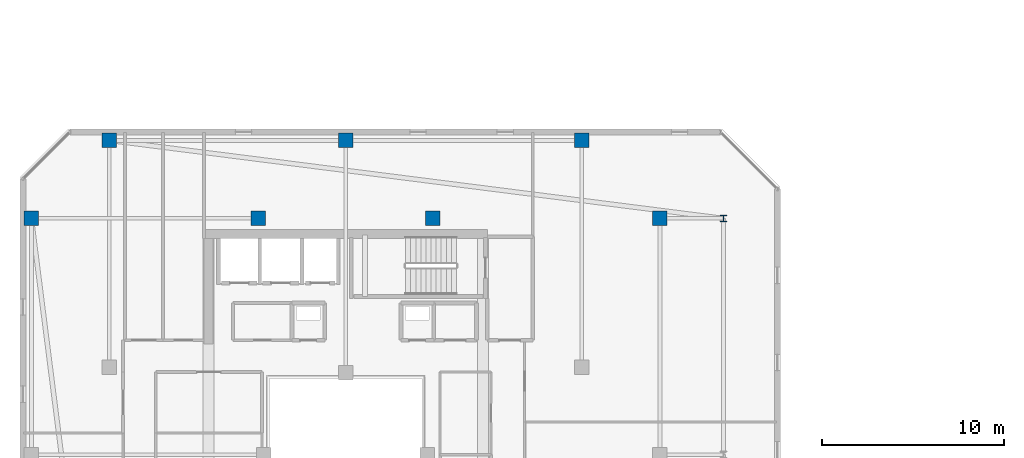
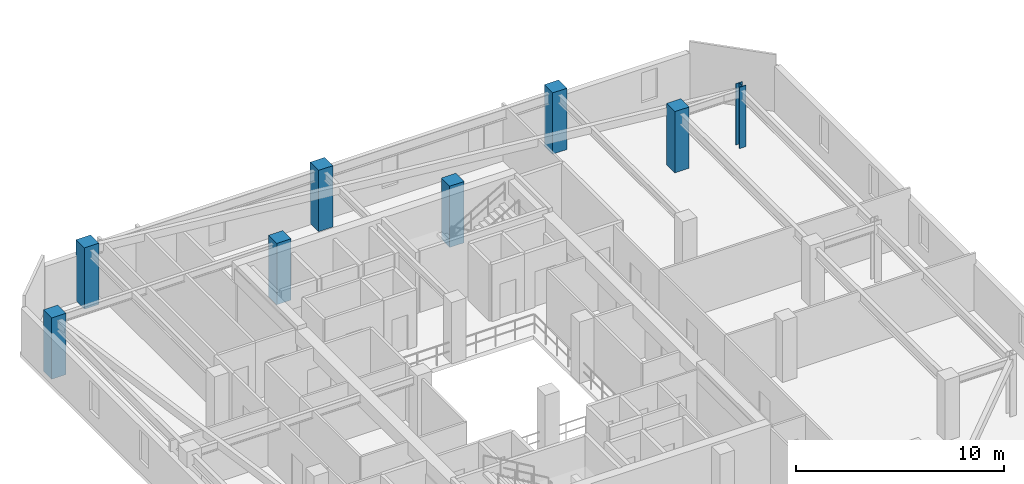
# One storey, part 3 of 35: 8 columns.
"""IFC4 building model written with IfcOpenShell, lengths in metres."""

import ifcopenshell
import ifcopenshell.guid

model = None  # the IFC model being written
_history = None  # IfcOwnerHistory: only IFC2X3 demands one
_inside = {}  # id of a spatial element -> (the spatial element, [elements in it])
_under = {}  # id of a project, library or spatial element -> (it, [spatial elements below it])
_declared = {}  # id of a project -> (the project, [libraries it declares])
_typed = {}  # id of a type object -> (the type object, [elements of that type])
_made_of = {}  # id of a material, layer set ... -> (it, [elements and type objects made of it])


def new_model(schema):
    """Start an empty IFC model of exactly this schema.

    Asked for "IFC4X3", IfcOpenShell would pick the latest addendum, in which some entities
    have other attributes; the version numbers below select the first issue.
    IFC2X3 requires an IfcOwnerHistory on every rooted entity: one is made here for all.
    """
    global model, _history
    if schema == "IFC4X3":
        model = ifcopenshell.file(schema_version=(4, 3, 0, 0))
    else:
        model = ifcopenshell.file(schema=schema)
    _inside.clear()
    _under.clear()
    _declared.clear()
    _typed.clear()
    _made_of.clear()
    _history = None
    if model.schema == "IFC2X3":
        org = make("IfcOrganization", Name="unknown")
        user = make(
            "IfcPersonAndOrganization",
            ThePerson=make("IfcPerson", FamilyName="unknown"),
            TheOrganization=org,
        )
        app = make(
            "IfcApplication",
            ApplicationDeveloper=org,
            Version="unknown",
            ApplicationFullName="unknown",
            ApplicationIdentifier="unknown",
        )
        _history = make(
            "IfcOwnerHistory",
            OwningUser=user,
            OwningApplication=app,
            ChangeAction="ADDED",
            CreationDate=0,
        )
    return model


def make(cls, **values):
    """One entity of the class cls with the attributes given. An attribute that is None is left unset."""
    return model.create_entity(
        cls, **{name: value for name, value in values.items() if value is not None}
    )


def rooted(cls, **values):
    """An entity with a GlobalId (a new one), such as an element, a storey or a relation."""
    return make(cls, GlobalId=ifcopenshell.guid.new(), OwnerHistory=_history, **values)


def si_unit(unit_type, name, prefix=None):
    """IfcSIUnit, for example si_unit("LENGTHUNIT", "METRE", prefix="MILLI")."""
    return make("IfcSIUnit", UnitType=unit_type, Prefix=prefix, Name=name)


def assignment(units):
    """IfcUnitAssignment: the units of a project."""
    return None if units is None else make("IfcUnitAssignment", Units=units)


def point(xyz):
    """IfcCartesianPoint."""
    return None if xyz is None else make("IfcCartesianPoint", Coordinates=xyz)


def direction(xyz):
    """IfcDirection."""
    return None if xyz is None else make("IfcDirection", DirectionRatios=xyz)


def frame(location, z_axis=None, x_axis=None):
    """IfcAxis2Placement3D, a coordinate frame: its origin and axes. An axis left out is left unset."""
    return make(
        "IfcAxis2Placement3D",
        Location=point(location),
        Axis=direction(z_axis),
        RefDirection=direction(x_axis),
    )


def frame_2d(location, x_axis=None):
    """IfcAxis2Placement2D, a coordinate frame in the plane: its origin and x axis."""
    return make(
        "IfcAxis2Placement2D", Location=point(location), RefDirection=direction(x_axis)
    )


def origin():
    """The frame at (0, 0, 0) with its axes left unset."""
    return frame((0.0, 0.0, 0.0))


def origin_2d():
    """The frame at (0, 0) in the plane with its x axis left unset."""
    return frame_2d((0.0, 0.0))


def place(relative_to, where):
    """IfcLocalPlacement: puts the frame where relative to a parent placement (None: the world)."""
    return make(
        "IfcLocalPlacement", PlacementRelTo=relative_to, RelativePlacement=where
    )


def context(
    kind, dimensions, precision=None, world=None, true_north=None, identifier=None
):
    """IfcGeometricRepresentationContext, for example the 3D "Model" context."""
    return make(
        "IfcGeometricRepresentationContext",
        ContextIdentifier=identifier,
        ContextType=kind,
        CoordinateSpaceDimension=dimensions,
        Precision=precision,
        WorldCoordinateSystem=world,
        TrueNorth=true_north,
    )


def subcontext(parent, identifier, kind, view, scale=None):
    """IfcGeometricRepresentationSubContext, for example "Body" below "Model"."""
    return make(
        "IfcGeometricRepresentationSubContext",
        ContextIdentifier=identifier,
        ContextType=kind,
        ParentContext=parent,
        TargetScale=scale,
        TargetView=view,
    )


def project(units=None, contexts=None):
    """IfcProject with its units and contexts."""
    return rooted(
        "IfcProject",
        Name="project",
        RepresentationContexts=contexts,
        UnitsInContext=assignment(units),
    )


def spatial(cls, under=None, at=None, **own):
    """A site, building, storey or space (cls), placed at a placement, below another one or the project."""
    s = rooted(cls, ObjectPlacement=at, **own)
    if under is not None:
        _under.setdefault(under.id(), (under, []))[1].append(s)
    return s


def profile(cls, at=None, kind="AREA", **sizes):
    """A parametric profile (cls). Its sizes go by their IFC names, for example OverallWidth=200.0."""
    return make(cls, ProfileType=kind, Position=at, **sizes)


def rectangle(**sizes):
    """IfcRectangleProfileDef."""
    return profile("IfcRectangleProfileDef", **sizes)


def i_section(**sizes):
    """IfcIShapeProfileDef."""
    return profile("IfcIShapeProfileDef", **sizes)


def extrude(swept, where, along, depth):
    """IfcExtrudedAreaSolid: the profile swept, set in the frame where, extruded along a direction by depth."""
    return make(
        "IfcExtrudedAreaSolid",
        SweptArea=swept,
        Position=where,
        ExtrudedDirection=direction(along),
        Depth=depth,
    )


def shape(context_of_items, identifier, shape_type, items):
    """IfcShapeRepresentation: the items that make up one representation, for example the "Body"."""
    return make(
        "IfcShapeRepresentation",
        ContextOfItems=context_of_items,
        RepresentationIdentifier=identifier,
        RepresentationType=shape_type,
        Items=items,
    )


def material(Name=None, Category=None):
    """IfcMaterial."""
    return make("IfcMaterial", Name=Name, Category=Category)


def material_profile(
    of_material, cross_section, Name=None, Category=None, Priority=None
):
    """IfcMaterialProfile: a cross section and its material."""
    return make(
        "IfcMaterialProfile",
        Name=Name,
        Material=of_material,
        Profile=cross_section,
        Priority=Priority,
        Category=Category,
    )


def profile_set(profiles, Name=None, composite=None):
    """IfcMaterialProfileSet."""
    return make(
        "IfcMaterialProfileSet",
        Name=Name,
        MaterialProfiles=profiles,
        CompositeProfile=composite,
    )


def made_of(thing, what):
    """Note that an element or type object is made of a material, layer set ...; save() writes the relation."""
    if what is not None:
        _made_of.setdefault(what.id(), (what, []))[1].append(thing)
    return thing


def type_object(cls, material=None, **own):
    """A type object (cls), such as IfcWallType, which elements share."""
    return made_of(rooted(cls, **own), material)


def element(
    cls,
    number,
    at=None,
    inside=None,
    cuts=None,
    type_object=None,
    material=None,
    context=None,
    identifier="Body",
    shape_type=None,
    held_by="IfcProductDefinitionShape",
    body=None,
    shapes=None,
    **own,
):
    """One element of the class cls, such as IfcWall. Its Tag is "e" and its number.

    at: its placement. inside: the storey or other place that contains it. cuts: it is an
    opening in that element (IfcRelVoidsElement). A single representation is given by context,
    identifier, shape_type and body (its items); several are given by shapes. held_by: the class
    of the entity that holds the representations. save() writes the other relations.
    """
    e = rooted(cls, Tag="e%d" % number, ObjectPlacement=at, **own)
    if body is not None:
        shapes = [shape(context, identifier, shape_type, body)]
    if shapes is not None:
        e.Representation = make(held_by, Representations=shapes)
    if inside is not None:
        _inside.setdefault(inside.id(), (inside, []))[1].append(e)
    if cuts is not None:
        rooted(
            "IfcRelVoidsElement", RelatingBuildingElement=cuts, RelatedOpeningElement=e
        )
    if type_object is not None:
        _typed.setdefault(type_object.id(), (type_object, []))[1].append(e)
    return made_of(e, material)


def aggregate(whole, parts):
    """IfcRelAggregates: a whole, such as a stair, and the parts it consists of."""
    return rooted("IfcRelAggregates", RelatingObject=whole, RelatedObjects=parts)


def save(model, path):
    """Write the relations noted so far, then the file.

    IfcRelAggregates (storeys below a building ...), IfcRelContainedInSpatialStructure (elements
    in a storey), IfcRelDefinesByType, IfcRelAssociatesMaterial and IfcRelDeclares: one each for
    every whole, place, type object, material and project.
    """
    for whole, parts in _under.values():
        aggregate(whole, parts)
    for where, things in _inside.values():
        rooted(
            "IfcRelContainedInSpatialStructure",
            RelatedElements=things,
            RelatingStructure=where,
        )
    for kind, things in _typed.values():
        rooted("IfcRelDefinesByType", RelatedObjects=things, RelatingType=kind)
    for what, things in _made_of.values():
        rooted("IfcRelAssociatesMaterial", RelatedObjects=things, RelatingMaterial=what)
    for by, libraries in _declared.values():
        rooted("IfcRelDeclares", RelatingContext=by, RelatedDefinitions=libraries)
    model.write(path)


model = new_model("IFC4")

# Units and contexts
model_context = context("Model", 3, precision=1e-05, world=origin(), true_north=direction((0.0, 1.0)))
body_context = subcontext(model_context, "Body", "Model", "MODEL_VIEW")
ifc_project = project(units=[si_unit("LENGTHUNIT", "METRE"), si_unit("AREAUNIT", "SQUARE_METRE"), si_unit("VOLUMEUNIT", "CUBIC_METRE"), si_unit("PLANEANGLEUNIT", "RADIAN"), si_unit("MASSUNIT", "GRAM", prefix="KILO")], contexts=[model_context])

# Site, building, storey
site_placement = place(None, origin())
site = spatial("IfcSite", under=ifc_project, at=site_placement, CompositionType="ELEMENT")
building_placement = place(site_placement, origin())
building = spatial("IfcBuilding", under=site, at=building_placement, Name="Thornwick Lancets Civic Towers", CompositionType="ELEMENT")
storey_placement = place(building_placement, frame((0.0, 0.0, 269.10009765625)))
storey = spatial("IfcBuildingStorey", under=building, at=storey_placement, Name="L72", CompositionType="ELEMENT", Elevation=269.10009765625)

# Columns
ifc_material_1 = material(Name="Concrete C50/60", Category="concrete")
ifc_material_profile_1 = material_profile(ifc_material_1, rectangle(XDim=0.800048828125, YDim=0.800048828125, at=origin_2d()), Name="RC 800x800")
ifc_profile_set_1 = profile_set([ifc_material_profile_1], Name="Concrete C50/60")
column_type_1 = type_object("IfcColumnType", Name="COL_RC_800", PredefinedType="COLUMN", material=ifc_profile_set_1)
for number, where, z_axis, x_axis, name in (
    (1, (42.800048828125, 40.0, 0.0), (0.0, 0.0, 1.0), (1.0, 0.0, 0.0), "L72 Spine Mega-Column A06"),
    (2, (12.5, 44.300048828125, 0.0), (0.0, 0.0, 1.0), (1.0, 0.0, 0.0), "L72 Spine Mega-Column A07"),
    (3, (25.5, 44.300048828125, 0.0), (0.0, 0.0, 1.0), (1.0, 0.0, 0.0), "L72 Spine Mega-Column A08"),
    (4, (38.5, 44.300048828125, 0.0), (0.0, 0.0, 1.0), (1.0, 0.0, 0.0), "L72 Spine Mega-Column A09"),
    (5, (8.199951171875, 40.0, 0.0), (0.0, 0.0, 1.0), (1.0, 0.0, 0.0), "L72 Spine Mega-Column A12"),
    (6, (20.699951171875, 40.0, 0.0), (0.0, 0.0, 1.0), (1.0, 0.0, 0.0), "L72 Spine Mega-Column A19"),
    (7, (30.300048828125, 40.0, 0.0), (0.0, 0.0, 1.0), (1.0, 0.0, 0.0), "L72 Spine Mega-Column A20"),
):
    element("IfcColumn", number, at=place(storey_placement, frame(where, z_axis=z_axis, x_axis=x_axis)), inside=storey, type_object=column_type_1, Name=name, PredefinedType="COLUMN", context=body_context, shape_type="SweptSolid", body=[
        extrude(rectangle(XDim=0.800048828125, YDim=0.800048828125, at=origin_2d()), origin(), (0.0, 0.0, 1.0), 3.599853515625),
    ])
ifc_material_2 = material(Name="Steel S355JR", Category="steel")
ifc_material_profile_2 = material_profile(ifc_material_2, i_section(OverallWidth=0.374755859375, OverallDepth=0.37451171875, WebThickness=0.0166015625, FlangeThickness=0.027099609375, FilletRadius=0.01513671875, at=origin_2d()), Name="UKC 356x368x202")
ifc_profile_set_2 = profile_set([ifc_material_profile_2], Name="Steel S355JR")
column_type_2 = type_object("IfcColumnType", Name="COL_UKC_202", PredefinedType="COLUMN", material=ifc_profile_set_2)
column_placement = place(storey_placement, frame((46.300048828125, 40.0, 0.0), z_axis=(0.0, 0.0, 1.0), x_axis=(1.0, 0.0, 0.0)))
element("IfcColumn", 8, at=column_placement, inside=storey, type_object=column_type_2, Name="L72 Block Perimeter Column A06", PredefinedType="COLUMN", context=body_context, shape_type="SweptSolid", body=[
    extrude(i_section(OverallWidth=0.374755859375, OverallDepth=0.37451171875, WebThickness=0.0166015625, FlangeThickness=0.027099609375, FilletRadius=0.01513671875, at=origin_2d()), origin(), (0.0, 0.0, 1.0), 3.599853515625),
])

save(model, "model.ifc")
